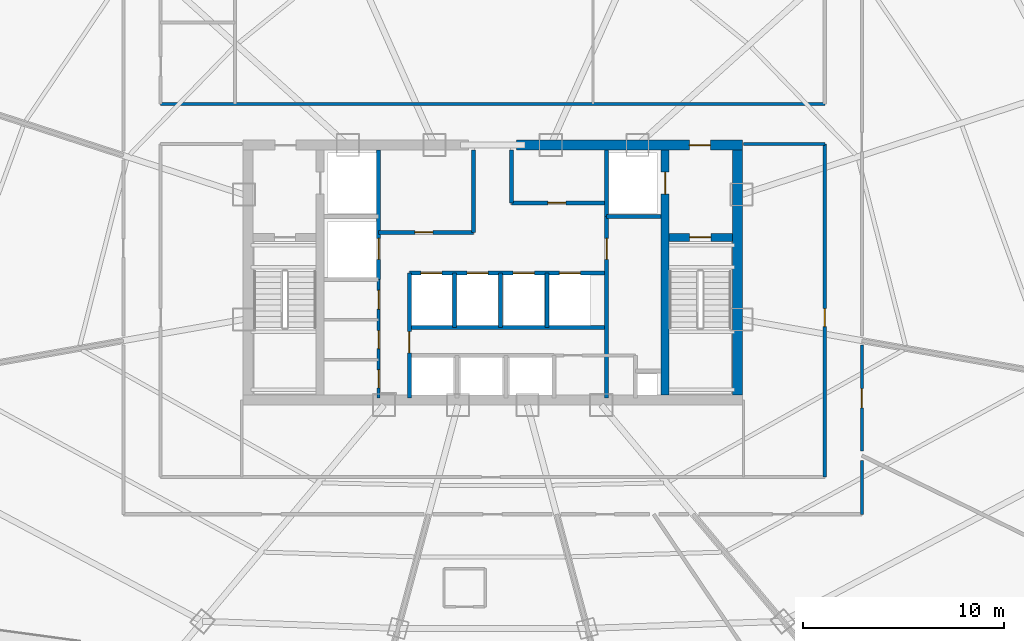
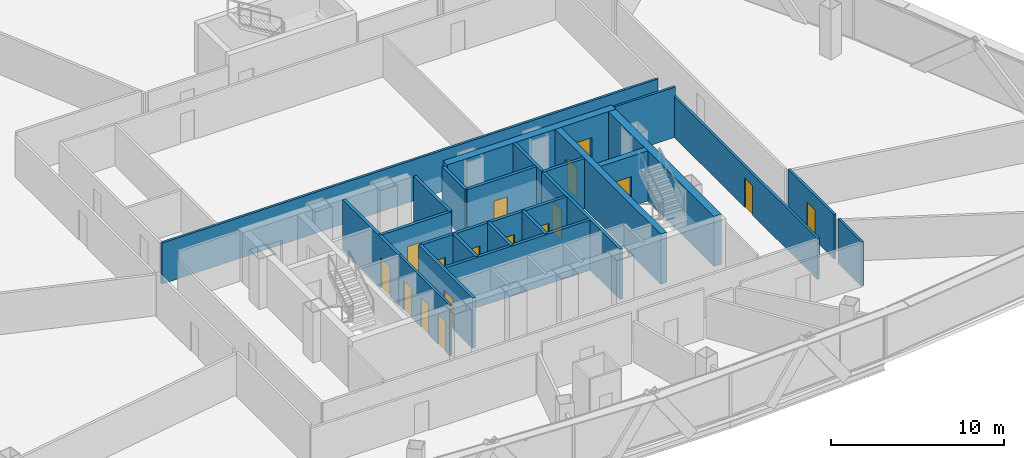
# One storey, part 31 of 37: 24 walls, 17 doors, 17 openings.
"""IFC4 building model written with IfcOpenShell, lengths in metres."""

from ifc_helpers import new_model, si_unit, direction, frame, frame_2d, origin, origin_with_axes, place, context, subcontext, project, spatial, rectangle, extrude, source, transform, mapped, material, layer, layer_set, type_object, element, fill, save


model = new_model("IFC4")

# Units and contexts
model_context = context("Model", 3, precision=1e-05, world=origin(), true_north=direction((0.0, 1.0)))
body_context = subcontext(model_context, "Body", "Model", "MODEL_VIEW")
ifc_project = project(units=[si_unit("LENGTHUNIT", "METRE"), si_unit("AREAUNIT", "SQUARE_METRE"), si_unit("VOLUMEUNIT", "CUBIC_METRE"), si_unit("PLANEANGLEUNIT", "RADIAN"), si_unit("MASSUNIT", "GRAM", prefix="KILO"), si_unit("THERMODYNAMICTEMPERATUREUNIT", "KELVIN"), si_unit("POWERUNIT", "WATT")], contexts=[model_context])

# Site, building, storey
site_placement = place(None, origin())
site = spatial("IfcSite", under=ifc_project, at=site_placement, CompositionType="ELEMENT")
building_placement = place(site_placement, origin())
building = spatial("IfcBuilding", under=site, at=building_placement, Name="Yunzhuo Pagoda Commons", CompositionType="ELEMENT")
storey_placement = place(building_placement, frame((0.0, 0.0, 196.159912109375)))
storey = spatial("IfcBuildingStorey", under=building, at=storey_placement, Name="L49", CompositionType="ELEMENT", Elevation=196.159912109375)

# Wall, opening, door
ifc_material_1 = material(Name="Concrete C50", Category="concrete")
ifc_layer_1 = layer(ifc_material_1, 0.5)
ifc_layer_set_1 = layer_set([ifc_layer_1], Name="Concrete C50")
wall_type_1 = type_object("IfcWallType", Name="W-C03 Upper Core Shear Wall 500", PredefinedType="SHEAR", material=ifc_layer_set_1)
wall_1_placement = place(storey_placement, frame((49.199951171875, 40.199951171875, 0.0), z_axis=(0.0, 0.0, 1.0), x_axis=(1.0, 0.0, 0.0)))
wall_1 = element("IfcWall", 1, at=wall_1_placement, inside=storey, type_object=wall_type_1, Name="L49 core shear wall NE", PredefinedType="SHEAR", context=body_context, shape_type="SweptSolid", body=[
    extrude(rectangle(XDim=11.25, YDim=0.5, at=frame_2d((5.625, 0.0))), origin(), (0.0, 0.0, 1.0), 3.5400390625),
])
opening_1_placement = place(wall_1_placement, frame((8.60009765625, 0.0, 0.0)))
opening_1 = element("IfcOpeningElement", 2, at=opening_1_placement, cuts=wall_1, Name="Opening D-02", PredefinedType="OPENING", context=body_context, shape_type="SweptSolid", body=[
    extrude(rectangle(XDim=1.050048828125, YDim=2.10009765625, at=frame_2d((0.52490234375, 1.050048828125))), frame((0.0, 0.260009765625, 0.0), z_axis=(0.0, -1.0, 0.0), x_axis=(1.0, 0.0, 0.0)), (0.0, 0.0, 1.0), 0.52001953125),
])
ifc_material_2 = material(Name="Galvanized fire-resisting metal leaf")
door_type_1 = type_object("IfcDoorType", Name="D-02 Firefighting Lobby & Refuge Fire Door 1050x2100", OperationType="NOTDEFINED", PredefinedType="DOOR", material=ifc_material_2)
shared_shape_1 = source(origin(), body_context, "Body", "SweptSolid", [
    extrude(rectangle(XDim=1.050048828125, YDim=2.10009765625, at=frame_2d((0.52490234375, 1.050048828125))), frame((0.0, 0.02490234375, 0.0), z_axis=(0.0, -1.0, 0.0), x_axis=(1.0, 0.0, 0.0)), (0.0, 0.0, 1.0), 0.050048828125),
])
door_1_placement = place(opening_1_placement, frame((1.050048828125, 0.0, 0.0), z_axis=(0.0, 0.0, 1.0), x_axis=(-1.0, 0.0, 0.0)))
door_1 = element("IfcDoor", 3, at=door_1_placement, inside=storey, type_object=door_type_1, Name="L49 Firefighting Lobby 2 fire door", OperationType="SINGLE_SWING_RIGHT", OverallHeight=2.10009765625, OverallWidth=1.050048828125, PredefinedType="DOOR", context=body_context, shape_type="MappedRepresentation", body=[
    mapped(shared_shape_1, transform((0.0, 0.0, 0.0), scale=1.0)),
])
fill(opening_1, door_1)

# Wall
wall_2_placement = place(storey_placement, frame((60.199951171875, 27.75, 0.0), z_axis=(0.0, 0.0, 1.0), x_axis=(0.0, 1.0, 0.0)))
element("IfcWall", 4, at=wall_2_placement, inside=storey, type_object=wall_type_1, Name="L49 core shear wall E", PredefinedType="SHEAR", context=body_context, shape_type="SweptSolid", body=[
    extrude(rectangle(XDim=12.199951171875, YDim=0.5, at=frame_2d((6.10009765625, 0.0))), origin(), (0.0, 0.0, 1.0), 3.5400390625),
])

# Wall, openings, doors
ifc_material_3 = material(Name="Gypsum plasterboard on acoustic stud")
ifc_layer_2 = layer(ifc_material_3, 0.155029296875)
ifc_layer_set_2 = layer_set([ifc_layer_2], Name="Gypsum plasterboard on acoustic stud")
wall_type_2 = type_object("IfcWallType", Name="W-COR2 Mid-Zone Rated Corridor Wall 155", PredefinedType="PARTITIONING", material=ifc_layer_set_2)
wall_3_placement = place(storey_placement, frame((42.320068359375, 27.60009765625, 0.0), z_axis=(0.0, 0.0, 1.0), x_axis=(0.0, 1.0, 0.0)))
wall_3 = element("IfcWall", 5, at=wall_3_placement, inside=storey, type_object=wall_type_2, Name="L49 interior wall IW-L49-CSWE", PredefinedType="PARTITIONING", context=body_context, shape_type="SweptSolid", body=[
    extrude(rectangle(XDim=5.89990234375, YDim=0.155029296875, at=frame_2d((2.949951171875, 0.0))), origin(), (0.0, 0.0, 1.0), 3.5400390625),
])
opening_2_placement = place(wall_3_placement, frame((0.5, 0.0, 0.0)))
opening_2 = element("IfcOpeningElement", 6, at=opening_2_placement, cuts=wall_3, Name="Opening D-03", PredefinedType="OPENING", context=body_context, shape_type="SweptSolid", body=[
    extrude(rectangle(XDim=0.89990234375, YDim=2.10009765625, at=frame_2d((0.449951171875, 1.050048828125))), frame((0.0, 0.08740234375, 0.0), z_axis=(0.0, -1.0, 0.0), x_axis=(1.0, 0.0, 0.0)), (0.0, 0.0, 1.0), 0.175048828125),
])
opening_3_placement = place(wall_3_placement, frame((2.449951171875, 0.0, 0.0)))
opening_3 = element("IfcOpeningElement", 7, at=opening_3_placement, cuts=wall_3, Name="Opening D-03", PredefinedType="OPENING", context=body_context, shape_type="SweptSolid", body=[
    extrude(rectangle(XDim=0.89990234375, YDim=2.10009765625, at=frame_2d((0.449951171875, 1.050048828125))), frame((0.0, 0.08740234375, 0.0), z_axis=(0.0, -1.0, 0.0), x_axis=(1.0, 0.0, 0.0)), (0.0, 0.0, 1.0), 0.175048828125),
])
opening_4_placement = place(wall_3_placement, frame((4.419921875, 0.0, 0.0)))
opening_4 = element("IfcOpeningElement", 8, at=opening_4_placement, cuts=wall_3, Name="Opening D-11", PredefinedType="OPENING", context=body_context, shape_type="SweptSolid", body=[
    extrude(rectangle(XDim=0.93994140625, YDim=2.10009765625, at=frame_2d((0.469970703125, 1.050048828125))), frame((0.0, 0.08740234375, 0.0), z_axis=(0.0, -1.0, 0.0), x_axis=(1.0, 0.0, 0.0)), (0.0, 0.0, 1.0), 0.175048828125),
])
door_type_2 = type_object("IfcDoorType", Name="D-03 Core Service Fire Door 900x2100", OperationType="NOTDEFINED", PredefinedType="DOOR", material=ifc_material_2)
shared_shape_2 = source(origin(), body_context, "Body", "SweptSolid", [
    extrude(rectangle(XDim=0.89990234375, YDim=2.10009765625, at=frame_2d((0.449951171875, 1.050048828125))), frame((0.0, 0.02490234375, 0.0), z_axis=(0.0, -1.0, 0.0), x_axis=(1.0, 0.0, 0.0)), (0.0, 0.0, 1.0), 0.050048828125),
])
door_2_placement = place(opening_2_placement, origin_with_axes())
door_2 = element("IfcDoor", 9, at=door_2_placement, inside=storey, type_object=door_type_2, Name="L49 switch door", OperationType="SINGLE_SWING_RIGHT", OverallHeight=2.10009765625, OverallWidth=0.89990234375, PredefinedType="DOOR", context=body_context, shape_type="MappedRepresentation", body=[
    mapped(shared_shape_2, transform((0.0, 0.0, 0.0), scale=1.0)),
])
fill(opening_2, door_2)
door_3_placement = place(opening_3_placement, origin_with_axes())
door_3 = element("IfcDoor", 10, at=door_3_placement, inside=storey, type_object=door_type_2, Name="L49 cleaner door", OperationType="SINGLE_SWING_RIGHT", OverallHeight=2.10009765625, OverallWidth=0.89990234375, PredefinedType="DOOR", context=body_context, shape_type="MappedRepresentation", body=[
    mapped(shared_shape_2, transform((0.0, 0.0, 0.0), scale=1.0)),
])
fill(opening_3, door_3)
door_type_3 = type_object("IfcDoorType", Name="D-11 Accessible Washroom Fire Door 940x2100", OperationType="NOTDEFINED", PredefinedType="DOOR", material=ifc_material_2)
shared_shape_3 = source(origin(), body_context, "Body", "SweptSolid", [
    extrude(rectangle(XDim=0.93994140625, YDim=2.10009765625, at=frame_2d((0.469970703125, 1.050048828125))), frame((0.0, 0.02490234375, 0.0), z_axis=(0.0, -1.0, 0.0), x_axis=(1.0, 0.0, 0.0)), (0.0, 0.0, 1.0), 0.050048828125),
])
door_4_placement = place(opening_4_placement, origin_with_axes())
door_4 = element("IfcDoor", 11, at=door_4_placement, inside=storey, type_object=door_type_3, Name="L49 core WC door", OperationType="SINGLE_SWING_LEFT", OverallHeight=2.10009765625, OverallWidth=0.93994140625, PredefinedType="DOOR", context=body_context, shape_type="MappedRepresentation", body=[
    mapped(shared_shape_3, transform((0.0, 0.0, 0.0), scale=1.0)),
])
fill(opening_4, door_4)

# Wall
wall_4_placement = place(storey_placement, frame((31.449951171875, 42.25, 0.0), z_axis=(0.0, 0.0, 1.0), x_axis=(1.0, 0.0, 0.0)))
element("IfcWall", 12, at=wall_4_placement, inside=storey, type_object=wall_type_2, Name="L49 interior wall IW-L49-MCNS", PredefinedType="PARTITIONING", context=body_context, shape_type="SweptSolid", body=[
    extrude(rectangle(XDim=33.10009765625, YDim=0.155029296875, at=frame_2d((16.550048828125, 0.0))), origin(), (0.0, 0.0, 1.0), 2.89013671875),
])

# Wall, opening, door
wall_5_placement = place(storey_placement, frame((64.550048828125, 23.64990234375, 0.0), z_axis=(0.0, 0.0, 1.0), x_axis=(0.0, 1.0, 0.0)))
wall_5 = element("IfcWall", 13, at=wall_5_placement, inside=storey, type_object=wall_type_2, Name="L49 interior wall IW-L49-SFLE", PredefinedType="PARTITIONING", context=body_context, shape_type="SweptSolid", body=[
    extrude(rectangle(XDim=16.60009765625, YDim=0.155029296875, at=frame_2d((8.300048828125, 0.0))), origin(), (0.0, 0.0, 1.0), 2.89013671875),
])
opening_5_placement = place(wall_5_placement, frame((7.5, 0.0, 0.0)))
opening_5 = element("IfcOpeningElement", 14, at=opening_5_placement, cuts=wall_5, Name="Opening D-12", PredefinedType="OPENING", context=body_context, shape_type="SweptSolid", body=[
    extrude(rectangle(XDim=0.89990234375, YDim=2.080078125, at=frame_2d((0.449951171875, 1.0400390625))), frame((0.0, 0.08740234375, 0.0), z_axis=(0.0, -1.0, 0.0), x_axis=(1.0, 0.0, 0.0)), (0.0, 0.0, 1.0), 0.175048828125),
])
ifc_material_4 = material(Name="Powder-coated aluminium and timber acoustic leaf", Category="wood")
door_type_4 = type_object("IfcDoorType", Name="D-12 Quiet Study Interior Door 900x2080", OperationType="NOTDEFINED", PredefinedType="DOOR", material=ifc_material_4)
shared_shape_4 = source(origin(), body_context, "Body", "SweptSolid", [
    extrude(rectangle(XDim=0.89990234375, YDim=2.080078125, at=frame_2d((0.449951171875, 1.0400390625))), frame((0.0, 0.02490234375, 0.0), z_axis=(0.0, -1.0, 0.0), x_axis=(1.0, 0.0, 0.0)), (0.0, 0.0, 1.0), 0.050048828125),
])
door_5_placement = place(opening_5_placement, frame((0.89990234375, 0.0, 0.0), z_axis=(0.0, 0.0, 1.0), x_axis=(-1.0, 0.0, 0.0)))
door_5 = element("IfcDoor", 15, at=door_5_placement, inside=storey, type_object=door_type_4, Name="L49 east study workroom door", OperationType="SINGLE_SWING_RIGHT", OverallHeight=2.080078125, OverallWidth=0.89990234375, PredefinedType="DOOR", context=body_context, shape_type="MappedRepresentation", body=[
    mapped(shared_shape_4, transform((0.0, 0.0, 0.0), scale=1.0)),
])
fill(opening_5, door_5)

# Wall
wall_6_placement = place(storey_placement, frame((60.5, 40.25, 0.0), z_axis=(0.0, 0.0, 1.0), x_axis=(1.0, 0.0, 0.0)))
element("IfcWall", 16, at=wall_6_placement, inside=storey, type_object=wall_type_2, Name="L49 interior wall IW-L49-SFLNE", PredefinedType="PARTITIONING", context=body_context, shape_type="SweptSolid", body=[
    extrude(rectangle(XDim=4.050048828125, YDim=0.155029296875, at=frame_2d((2.02490234375, 0.0))), origin(), (0.0, 0.0, 1.0), 3.5400390625),
])

# Wall, opening, door
wall_7_placement = place(storey_placement, frame((66.39990234375, 30.232177734375, 0.0), z_axis=(0.0, 0.0, 1.0), x_axis=(0.0, -1.0, 0.0)))
wall_7 = element("IfcWall", 17, at=wall_7_placement, inside=storey, type_object=wall_type_2, Name="L49 interior wall IW-L49-CWL10", PredefinedType="PARTITIONING", context=body_context, shape_type="SweptSolid", body=[
    extrude(rectangle(XDim=5.28662109375, YDim=0.155029296875, at=frame_2d((2.643310546875, 0.0))), origin(), (0.0, 0.0, 1.0), 3.14013671875),
])
opening_6_placement = place(wall_7_placement, frame((2.16650390625, 0.0, 0.0)))
opening_6 = element("IfcOpeningElement", 18, at=opening_6_placement, cuts=wall_7, Name="Opening D-07", PredefinedType="OPENING", context=body_context, shape_type="SweptSolid", body=[
    extrude(rectangle(XDim=0.9599609375, YDim=2.1201171875, at=frame_2d((0.47998046875, 1.06005859375))), frame((0.0, 0.08740234375, 0.0), z_axis=(0.0, -1.0, 0.0), x_axis=(1.0, 0.0, 0.0)), (0.0, 0.0, 1.0), 0.175048828125),
])
door_type_5 = type_object("IfcDoorType", Name="D-07 Mid-Zone Suite Entrance Fire Door 960x2120", OperationType="NOTDEFINED", PredefinedType="DOOR", material=ifc_material_2)
shared_shape_5 = source(origin(), body_context, "Body", "SweptSolid", [
    extrude(rectangle(XDim=0.9599609375, YDim=2.1201171875, at=frame_2d((0.47998046875, 1.06005859375))), frame((0.0, 0.02490234375, 0.0), z_axis=(0.0, -1.0, 0.0), x_axis=(1.0, 0.0, 0.0)), (0.0, 0.0, 1.0), 0.050048828125),
])
door_6_placement = place(opening_6_placement, origin_with_axes())
door_6 = element("IfcDoor", 19, at=door_6_placement, inside=storey, type_object=door_type_5, Name="L49 unit 11 entrance door", OperationType="SINGLE_SWING_RIGHT", OverallHeight=2.1201171875, OverallWidth=0.9599609375, PredefinedType="DOOR", context=body_context, shape_type="MappedRepresentation", body=[
    mapped(shared_shape_5, transform((0.0, 0.0, 0.0), scale=1.0)),
])
fill(opening_6, door_6)

# Wall
wall_8_placement = place(storey_placement, frame((66.39990234375, 24.48095703125, 0.0), z_axis=(0.0, 0.0, 1.0), x_axis=(0.0, -1.0, 0.0)))
element("IfcWall", 20, at=wall_8_placement, inside=storey, type_object=wall_type_2, Name="L49 interior wall IW-L49-CWL11", PredefinedType="PARTITIONING", context=body_context, shape_type="SweptSolid", body=[
    extrude(rectangle(XDim=2.680908203125, YDim=0.155029296875, at=frame_2d((1.34033203125, 0.0))), origin(), (0.0, 0.0, 1.0), 3.14013671875),
])

# Wall, opening, door
ifc_material_5 = material(Name="Concrete C60", Category="concrete")
ifc_layer_3 = layer(ifc_material_5, 0.39990234375)
ifc_layer_set_3 = layer_set([ifc_layer_3], Name="Concrete C60")
wall_type_3 = type_object("IfcWallType", Name="W-S01 Internal Core Shear Web 400", PredefinedType="SHEAR", material=ifc_layer_set_3)
wall_9_placement = place(storey_placement, frame((56.60009765625, 27.75, 0.0), z_axis=(0.0, 0.0, 1.0), x_axis=(0.0, 1.0, 0.0)))
wall_9 = element("IfcWall", 21, at=wall_9_placement, inside=storey, type_object=wall_type_3, Name="L49 core shear wall WEBE", PredefinedType="SHEAR", context=body_context, shape_type="SweptSolid", body=[
    extrude(rectangle(XDim=12.199951171875, YDim=0.39990234375, at=frame_2d((6.10009765625, 0.0))), origin(), (0.0, 0.0, 1.0), 3.5400390625),
])
opening_7_placement = place(wall_9_placement, frame((10.0, 0.0, 0.0)))
opening_7 = element("IfcOpeningElement", 22, at=opening_7_placement, cuts=wall_9, Name="Opening LD-01", PredefinedType="OPENING", context=body_context, shape_type="SweptSolid", body=[
    extrude(rectangle(XDim=1.10009765625, YDim=2.10009765625, at=frame_2d((0.550048828125, 1.050048828125))), frame((0.0, 0.2099609375, 0.0), z_axis=(0.0, -1.0, 0.0), x_axis=(1.0, 0.0, 0.0)), (0.0, 0.0, 1.0), 0.419921875),
])
door_type_6 = type_object("IfcDoorType", Name="LD-01 Firefighting Lift Landing Door 1100x2100", OperationType="DOUBLE_DOOR_SLIDING", PredefinedType="DOOR", material=ifc_material_2)
shared_shape_6 = source(origin(), body_context, "Body", "SweptSolid", [
    extrude(rectangle(XDim=1.10009765625, YDim=2.10009765625, at=frame_2d((0.550048828125, 1.050048828125))), frame((0.0, 0.02490234375, 0.0), z_axis=(0.0, -1.0, 0.0), x_axis=(1.0, 0.0, 0.0)), (0.0, 0.0, 1.0), 0.050048828125),
])
door_7_placement = place(opening_7_placement, origin_with_axes())
door_7 = element("IfcDoor", 23, at=door_7_placement, inside=storey, type_object=door_type_6, Name="L49 Firefighting lift FL-2 landing door", OperationType="DOUBLE_DOOR_SLIDING", OverallHeight=2.10009765625, OverallWidth=1.10009765625, PredefinedType="DOOR", context=body_context, shape_type="MappedRepresentation", body=[
    mapped(shared_shape_6, transform((0.0, 0.0, 0.0), scale=1.0)),
])
fill(opening_7, door_7)

wall_10_placement = place(storey_placement, frame((56.800048828125, 35.60009765625, 0.0), z_axis=(0.0, 0.0, 1.0), x_axis=(1.0, 0.0, 0.0)))
wall_10 = element("IfcWall", 24, at=wall_10_placement, inside=storey, type_object=wall_type_3, Name="L49 core shear wall STE", PredefinedType="SHEAR", context=body_context, shape_type="SweptSolid", body=[
    extrude(rectangle(XDim=3.14990234375, YDim=0.39990234375, at=frame_2d((1.574951171875, 0.0))), origin(), (0.0, 0.0, 1.0), 3.5400390625),
])
opening_8_placement = place(wall_10_placement, frame((1.02001953125, 0.0, 0.0)))
opening_8 = element("IfcOpeningElement", 25, at=opening_8_placement, cuts=wall_10, Name="Opening D-01", PredefinedType="OPENING", context=body_context, shape_type="SweptSolid", body=[
    extrude(rectangle(XDim=1.050048828125, YDim=2.10009765625, at=frame_2d((0.52490234375, 1.050048828125))), frame((0.0, 0.2099609375, 0.0), z_axis=(0.0, -1.0, 0.0), x_axis=(1.0, 0.0, 0.0)), (0.0, 0.0, 1.0), 0.419921875),
])
door_type_7 = type_object("IfcDoorType", Name="D-01 Smokeproof Stair Fire Door 1050x2100", OperationType="NOTDEFINED", PredefinedType="DOOR", material=ifc_material_2)
door_8_placement = place(opening_8_placement, frame((1.050048828125, 0.0, 0.0), z_axis=(0.0, 0.0, 1.0), x_axis=(-1.0, 0.0, 0.0)))
door_8 = element("IfcDoor", 26, at=door_8_placement, inside=storey, type_object=door_type_7, Name="L49 Stair ST2 fire door", OperationType="SINGLE_SWING_RIGHT", OverallHeight=2.10009765625, OverallWidth=1.050048828125, PredefinedType="DOOR", context=body_context, shape_type="MappedRepresentation", body=[
    mapped(shared_shape_1, transform((0.0, 0.0, 0.0), scale=1.0)),
])
fill(opening_8, door_8)

ifc_material_6 = material(Name="Concrete C40", Category="concrete")
ifc_layer_4 = layer(ifc_material_6, 0.199951171875)
ifc_layer_set_4 = layer_set([ifc_layer_4], Name="Concrete C40")
wall_type_4 = type_object("IfcWallType", Name="W-SHF Shaft & Stair Enclosure Wall 200", PredefinedType="SOLIDWALL", material=ifc_layer_set_4)
wall_11_placement = place(storey_placement, frame((42.320068359375, 33.5, 0.0), z_axis=(0.0, 0.0, 1.0), x_axis=(0.0, 1.0, 0.0)))
wall_11 = element("IfcWall", 27, at=wall_11_placement, inside=storey, type_object=wall_type_4, Name="L49 interior wall IW-L49-FL1E", PredefinedType="SOLIDWALL", context=body_context, shape_type="SweptSolid", body=[
    extrude(rectangle(XDim=6.449951171875, YDim=0.199951171875, at=frame_2d((3.22509765625, 0.0))), origin(), (0.0, 0.0, 1.0), 3.5400390625),
])
opening_9_placement = place(wall_11_placement, frame((1.0, 0.0, 0.0)))
opening_9 = element("IfcOpeningElement", 28, at=opening_9_placement, cuts=wall_11, Name="Opening LD-02", PredefinedType="OPENING", context=body_context, shape_type="SweptSolid", body=[
    extrude(rectangle(XDim=1.050048828125, YDim=2.10009765625, at=frame_2d((0.52490234375, 1.050048828125))), frame((0.0, 0.10986328125, 0.0), z_axis=(0.0, -1.0, 0.0), x_axis=(1.0, 0.0, 0.0)), (0.0, 0.0, 1.0), 0.219970703125),
])
door_type_8 = type_object("IfcDoorType", Name="LD-02 Passenger Lift Landing Door 1050x2100", OperationType="DOUBLE_DOOR_SLIDING", PredefinedType="DOOR", material=ifc_material_2)
door_9_placement = place(opening_9_placement, origin_with_axes())
door_9 = element("IfcDoor", 29, at=door_9_placement, inside=storey, type_object=door_type_8, Name="L49 Service lift SL-1 landing door", OperationType="DOUBLE_DOOR_SLIDING", OverallHeight=2.10009765625, OverallWidth=1.050048828125, PredefinedType="DOOR", context=body_context, shape_type="MappedRepresentation", body=[
    mapped(shared_shape_1, transform((0.0, 0.0, 0.0), scale=1.0)),
])
fill(opening_9, door_9)

# Walls
wall_12_placement = place(storey_placement, frame((53.679931640625, 36.64990234375, 0.0), z_axis=(0.0, 0.0, 1.0), x_axis=(0.0, 1.0, 0.0)))
element("IfcWall", 30, at=wall_12_placement, inside=storey, type_object=wall_type_4, Name="L49 interior wall IW-L49-FL2W", PredefinedType="SOLIDWALL", context=body_context, shape_type="SweptSolid", body=[
    extrude(rectangle(XDim=3.300048828125, YDim=0.199951171875, at=frame_2d((1.64990234375, 0.0))), origin(), (0.0, 0.0, 1.0), 3.5400390625),
])
wall_13_placement = place(storey_placement, frame((53.679931640625, 36.64990234375, 0.0), z_axis=(0.0, 0.0, 1.0), x_axis=(1.0, 0.0, 0.0)))
element("IfcWall", 31, at=wall_13_placement, inside=storey, type_object=wall_type_4, Name="L49 interior wall IW-L49-FL2S", PredefinedType="SOLIDWALL", context=body_context, shape_type="SweptSolid", body=[
    extrude(rectangle(XDim=2.719970703125, YDim=0.199951171875, at=frame_2d((1.35986328125, 0.0))), origin(), (0.0, 0.0, 1.0), 3.5400390625),
])

# Wall, opening, door
wall_14_placement = place(storey_placement, frame((42.320068359375, 35.85009765625, 0.0), z_axis=(0.0, 0.0, 1.0), x_axis=(1.0, 0.0, 0.0)))
wall_14 = element("IfcWall", 32, at=wall_14_placement, inside=storey, type_object=wall_type_4, Name="L49 interior wall IW-L49-LBNW", PredefinedType="SOLIDWALL", context=body_context, shape_type="SweptSolid", body=[
    extrude(rectangle(XDim=4.72998046875, YDim=0.199951171875, at=frame_2d((2.364990234375, 0.0))), origin(), (0.0, 0.0, 1.0), 3.5400390625),
])
opening_10_placement = place(wall_14_placement, frame((1.800048828125, 0.0, 0.0)))
opening_10 = element("IfcOpeningElement", 33, at=opening_10_placement, cuts=wall_14, Name="Opening D-03", PredefinedType="OPENING", context=body_context, shape_type="SweptSolid", body=[
    extrude(rectangle(XDim=0.89990234375, YDim=2.10009765625, at=frame_2d((0.449951171875, 1.050048828125))), frame((0.0, 0.10986328125, 0.0), z_axis=(0.0, -1.0, 0.0), x_axis=(1.0, 0.0, 0.0)), (0.0, 0.0, 1.0), 0.219970703125),
])
door_10_placement = place(opening_10_placement, frame((0.89990234375, 0.0, 0.0), z_axis=(0.0, 0.0, 1.0), x_axis=(-1.0, 0.0, 0.0)))
door_10 = element("IfcDoor", 34, at=door_10_placement, inside=storey, type_object=door_type_2, Name="L49 core west store door", OperationType="SINGLE_SWING_LEFT", OverallHeight=2.10009765625, OverallWidth=0.89990234375, PredefinedType="DOOR", context=body_context, shape_type="MappedRepresentation", body=[
    mapped(shared_shape_2, transform((0.0, 0.0, 0.0), scale=1.0)),
])
fill(opening_10, door_10)

wall_15_placement = place(storey_placement, frame((48.949951171875, 37.320068359375, 0.0), z_axis=(0.0, 0.0, 1.0), x_axis=(1.0, 0.0, 0.0)))
wall_15 = element("IfcWall", 35, at=wall_15_placement, inside=storey, type_object=wall_type_4, Name="L49 interior wall IW-L49-LBNE", PredefinedType="SOLIDWALL", context=body_context, shape_type="SweptSolid", body=[
    extrude(rectangle(XDim=4.72998046875, YDim=0.199951171875, at=frame_2d((2.364990234375, 0.0))), origin(), (0.0, 0.0, 1.0), 3.5400390625),
])
opening_11_placement = place(wall_15_placement, frame((1.800048828125, 0.0, 0.0)))
opening_11 = element("IfcOpeningElement", 36, at=opening_11_placement, cuts=wall_15, Name="Opening D-03", PredefinedType="OPENING", context=body_context, shape_type="SweptSolid", body=[
    extrude(rectangle(XDim=0.89990234375, YDim=2.10009765625, at=frame_2d((0.449951171875, 1.050048828125))), frame((0.0, 0.10986328125, 0.0), z_axis=(0.0, -1.0, 0.0), x_axis=(1.0, 0.0, 0.0)), (0.0, 0.0, 1.0), 0.219970703125),
])
door_11_placement = place(opening_11_placement, frame((0.89990234375, 0.0, 0.0), z_axis=(0.0, 0.0, 1.0), x_axis=(-1.0, 0.0, 0.0)))
door_11 = element("IfcDoor", 37, at=door_11_placement, inside=storey, type_object=door_type_2, Name="L49 core east store door", OperationType="SINGLE_SWING_RIGHT", OverallHeight=2.10009765625, OverallWidth=0.89990234375, PredefinedType="DOOR", context=body_context, shape_type="MappedRepresentation", body=[
    mapped(shared_shape_2, transform((0.0, 0.0, 0.0), scale=1.0)),
])
fill(opening_11, door_11)

# Walls
wall_16_placement = place(storey_placement, frame((47.050048828125, 35.85009765625, 0.0), z_axis=(0.0, 0.0, 1.0), x_axis=(0.0, 1.0, 0.0)))
element("IfcWall", 38, at=wall_16_placement, inside=storey, type_object=wall_type_4, Name="L49 interior wall IW-L49-THRW", PredefinedType="SOLIDWALL", context=body_context, shape_type="SweptSolid", body=[
    extrude(rectangle(XDim=4.099853515625, YDim=0.199951171875, at=frame_2d((2.0498046875, 0.0))), origin(), (0.0, 0.0, 1.0), 3.5400390625),
])
wall_17_placement = place(storey_placement, frame((48.949951171875, 37.320068359375, 0.0), z_axis=(0.0, 0.0, 1.0), x_axis=(0.0, 1.0, 0.0)))
element("IfcWall", 39, at=wall_17_placement, inside=storey, type_object=wall_type_4, Name="L49 interior wall IW-L49-THRE", PredefinedType="SOLIDWALL", context=body_context, shape_type="SweptSolid", body=[
    extrude(rectangle(XDim=2.6298828125, YDim=0.199951171875, at=frame_2d((1.31494140625, 0.0))), origin(), (0.0, 0.0, 1.0), 3.5400390625),
])

# Wall, openings, doors
wall_18_placement = place(storey_placement, frame((43.85009765625, 33.820068359375, 0.0), z_axis=(0.0, 0.0, 1.0), x_axis=(1.0, 0.0, 0.0)))
wall_18 = element("IfcWall", 40, at=wall_18_placement, inside=storey, type_object=wall_type_4, Name="L49 interior wall IW-L49-MLBS", PredefinedType="SOLIDWALL", context=body_context, shape_type="SweptSolid", body=[
    extrude(rectangle(XDim=9.829833984375, YDim=0.199951171875, at=frame_2d((4.9150390625, 0.0))), origin(), (0.0, 0.0, 1.0), 3.5400390625),
])
opening_12_placement = place(wall_18_placement, frame((0.574951171875, 0.0, 0.0)))
opening_12 = element("IfcOpeningElement", 41, at=opening_12_placement, cuts=wall_18, Name="Opening LD-02", PredefinedType="OPENING", context=body_context, shape_type="SweptSolid", body=[
    extrude(rectangle(XDim=1.050048828125, YDim=2.10009765625, at=frame_2d((0.52490234375, 1.050048828125))), frame((0.0, 0.10986328125, 0.0), z_axis=(0.0, -1.0, 0.0), x_axis=(1.0, 0.0, 0.0)), (0.0, 0.0, 1.0), 0.219970703125),
])
opening_13_placement = place(wall_18_placement, frame((2.875, 0.0, 0.0)))
opening_13 = element("IfcOpeningElement", 42, at=opening_13_placement, cuts=wall_18, Name="Opening LD-02", PredefinedType="OPENING", context=body_context, shape_type="SweptSolid", body=[
    extrude(rectangle(XDim=1.050048828125, YDim=2.10009765625, at=frame_2d((0.52490234375, 1.050048828125))), frame((0.0, 0.10986328125, 0.0), z_axis=(0.0, -1.0, 0.0), x_axis=(1.0, 0.0, 0.0)), (0.0, 0.0, 1.0), 0.219970703125),
])
opening_14_placement = place(wall_18_placement, frame((5.175048828125, 0.0, 0.0)))
opening_14 = element("IfcOpeningElement", 43, at=opening_14_placement, cuts=wall_18, Name="Opening LD-02", PredefinedType="OPENING", context=body_context, shape_type="SweptSolid", body=[
    extrude(rectangle(XDim=1.050048828125, YDim=2.10009765625, at=frame_2d((0.52490234375, 1.050048828125))), frame((0.0, 0.10986328125, 0.0), z_axis=(0.0, -1.0, 0.0), x_axis=(1.0, 0.0, 0.0)), (0.0, 0.0, 1.0), 0.219970703125),
])
opening_15_placement = place(wall_18_placement, frame((7.47509765625, 0.0, 0.0)))
opening_15 = element("IfcOpeningElement", 44, at=opening_15_placement, cuts=wall_18, Name="Opening LD-02", PredefinedType="OPENING", context=body_context, shape_type="SweptSolid", body=[
    extrude(rectangle(XDim=1.050048828125, YDim=2.10009765625, at=frame_2d((0.52490234375, 1.050048828125))), frame((0.0, 0.10986328125, 0.0), z_axis=(0.0, -1.0, 0.0), x_axis=(1.0, 0.0, 0.0)), (0.0, 0.0, 1.0), 0.219970703125),
])
door_12_placement = place(opening_12_placement, origin_with_axes())
door_12 = element("IfcDoor", 45, at=door_12_placement, inside=storey, type_object=door_type_8, Name="L49 Passenger lift PL-M1 landing door", OperationType="DOUBLE_DOOR_SLIDING", OverallHeight=2.10009765625, OverallWidth=1.050048828125, PredefinedType="DOOR", context=body_context, shape_type="MappedRepresentation", body=[
    mapped(shared_shape_1, transform((0.0, 0.0, 0.0), scale=1.0)),
])
fill(opening_12, door_12)
door_13_placement = place(opening_13_placement, origin_with_axes())
door_13 = element("IfcDoor", 46, at=door_13_placement, inside=storey, type_object=door_type_8, Name="L49 Passenger lift PL-M2 landing door", OperationType="DOUBLE_DOOR_SLIDING", OverallHeight=2.10009765625, OverallWidth=1.050048828125, PredefinedType="DOOR", context=body_context, shape_type="MappedRepresentation", body=[
    mapped(shared_shape_1, transform((0.0, 0.0, 0.0), scale=1.0)),
])
fill(opening_13, door_13)
door_14_placement = place(opening_14_placement, origin_with_axes())
door_14 = element("IfcDoor", 47, at=door_14_placement, inside=storey, type_object=door_type_8, Name="L49 Passenger lift PL-M3 landing door", OperationType="DOUBLE_DOOR_SLIDING", OverallHeight=2.10009765625, OverallWidth=1.050048828125, PredefinedType="DOOR", context=body_context, shape_type="MappedRepresentation", body=[
    mapped(shared_shape_1, transform((0.0, 0.0, 0.0), scale=1.0)),
])
fill(opening_14, door_14)
door_15_placement = place(opening_15_placement, origin_with_axes())
door_15 = element("IfcDoor", 48, at=door_15_placement, inside=storey, type_object=door_type_8, Name="L49 Passenger lift PL-M4 landing door", OperationType="DOUBLE_DOOR_SLIDING", OverallHeight=2.10009765625, OverallWidth=1.050048828125, PredefinedType="DOOR", context=body_context, shape_type="MappedRepresentation", body=[
    mapped(shared_shape_1, transform((0.0, 0.0, 0.0), scale=1.0)),
])
fill(opening_15, door_15)

# Wall, opening, door
wall_19_placement = place(storey_placement, frame((43.85009765625, 27.60009765625, 0.0), z_axis=(0.0, 0.0, 1.0), x_axis=(0.0, 1.0, 0.0)))
wall_19 = element("IfcWall", 49, at=wall_19_placement, inside=storey, type_object=wall_type_4, Name="L49 interior wall IW-L49-PLMW", PredefinedType="SOLIDWALL", context=body_context, shape_type="SweptSolid", body=[
    extrude(rectangle(XDim=6.219970703125, YDim=0.199951171875, at=frame_2d((3.10986328125, 0.0))), origin(), (0.0, 0.0, 1.0), 3.5400390625),
])
opening_16_placement = place(wall_19_placement, frame((2.25, 0.0, 0.0)))
opening_16 = element("IfcOpeningElement", 50, at=opening_16_placement, cuts=wall_19, Name="Opening D-02", PredefinedType="OPENING", context=body_context, shape_type="SweptSolid", body=[
    extrude(rectangle(XDim=1.050048828125, YDim=2.10009765625, at=frame_2d((0.52490234375, 1.050048828125))), frame((0.0, 0.10986328125, 0.0), z_axis=(0.0, -1.0, 0.0), x_axis=(1.0, 0.0, 0.0)), (0.0, 0.0, 1.0), 0.219970703125),
])
door_16_placement = place(opening_16_placement, frame((1.050048828125, 0.0, 0.0), z_axis=(0.0, 0.0, 1.0), x_axis=(-1.0, 0.0, 0.0)))
door_16 = element("IfcDoor", 51, at=door_16_placement, inside=storey, type_object=door_type_1, Name="L49 High-bank hall west door", OperationType="SINGLE_SWING_LEFT", OverallHeight=2.10009765625, OverallWidth=1.050048828125, PredefinedType="DOOR", context=body_context, shape_type="MappedRepresentation", body=[
    mapped(shared_shape_1, transform((0.0, 0.0, 0.0), scale=1.0)),
])
fill(opening_16, door_16)

wall_20_placement = place(storey_placement, frame((53.679931640625, 27.60009765625, 0.0), z_axis=(0.0, 0.0, 1.0), x_axis=(0.0, 1.0, 0.0)))
wall_20 = element("IfcWall", 52, at=wall_20_placement, inside=storey, type_object=wall_type_4, Name="L49 interior wall IW-L49-PLME", PredefinedType="SOLIDWALL", context=body_context, shape_type="SweptSolid", body=[
    extrude(rectangle(XDim=9.0498046875, YDim=0.199951171875, at=frame_2d((4.52490234375, 0.0))), origin(), (0.0, 0.0, 1.0), 3.5400390625),
])
opening_17_placement = place(wall_20_placement, frame((6.89990234375, 0.0, 0.0)))
opening_17 = element("IfcOpeningElement", 53, at=opening_17_placement, cuts=wall_20, Name="Opening D-02", PredefinedType="OPENING", context=body_context, shape_type="SweptSolid", body=[
    extrude(rectangle(XDim=1.050048828125, YDim=2.10009765625, at=frame_2d((0.52490234375, 1.050048828125))), frame((0.0, 0.10986328125, 0.0), z_axis=(0.0, -1.0, 0.0), x_axis=(1.0, 0.0, 0.0)), (0.0, 0.0, 1.0), 0.219970703125),
])
door_17_placement = place(opening_17_placement, origin_with_axes())
door_17 = element("IfcDoor", 54, at=door_17_placement, inside=storey, type_object=door_type_1, Name="L49 High-bank lift hall door", OperationType="SINGLE_SWING_RIGHT", OverallHeight=2.10009765625, OverallWidth=1.050048828125, PredefinedType="DOOR", context=body_context, shape_type="MappedRepresentation", body=[
    mapped(shared_shape_1, transform((0.0, 0.0, 0.0), scale=1.0)),
])
fill(opening_17, door_17)

# Walls
for number, where, z_axis, x_axis, name in (
    (55, (46.10009765625, 31.1201171875, 0.0), (0.0, 0.0, 1.0), (0.0, 1.0, 0.0), "L49 interior wall IW-L49-PLMD1"),
    (56, (48.39990234375, 31.1201171875, 0.0), (0.0, 0.0, 1.0), (0.0, 1.0, 0.0), "L49 interior wall IW-L49-PLMD2"),
    (57, (50.699951171875, 31.1201171875, 0.0), (0.0, 0.0, 1.0), (0.0, 1.0, 0.0), "L49 interior wall IW-L49-PLMD3"),
):
    element("IfcWall", number, at=place(storey_placement, frame(where, z_axis=z_axis, x_axis=x_axis)), inside=storey, type_object=wall_type_4, Name=name, PredefinedType="SOLIDWALL", context=body_context, shape_type="SweptSolid", body=[
        extrude(rectangle(XDim=2.699951171875, YDim=0.199951171875, at=frame_2d((1.35009765625, 0.0))), origin(), (0.0, 0.0, 1.0), 3.5400390625),
    ])
wall_21_placement = place(storey_placement, frame((43.85009765625, 31.1201171875, 0.0), z_axis=(0.0, 0.0, 1.0), x_axis=(1.0, 0.0, 0.0)))
element("IfcWall", 58, at=wall_21_placement, inside=storey, type_object=wall_type_4, Name="L49 interior wall IW-L49-PLMS2", PredefinedType="SOLIDWALL", context=body_context, shape_type="SweptSolid", body=[
    extrude(rectangle(XDim=9.829833984375, YDim=0.199951171875, at=frame_2d((4.9150390625, 0.0))), origin(), (0.0, 0.0, 1.0), 3.5400390625),
])

save(model, "model.ifc")
